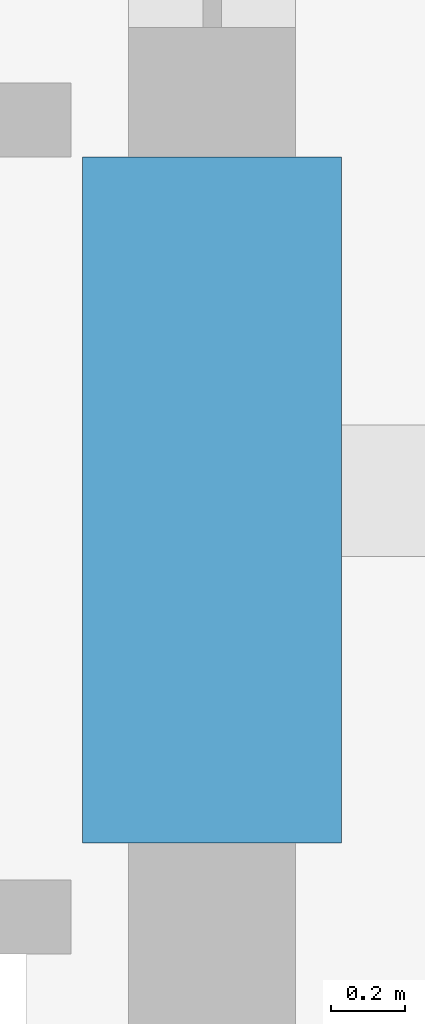
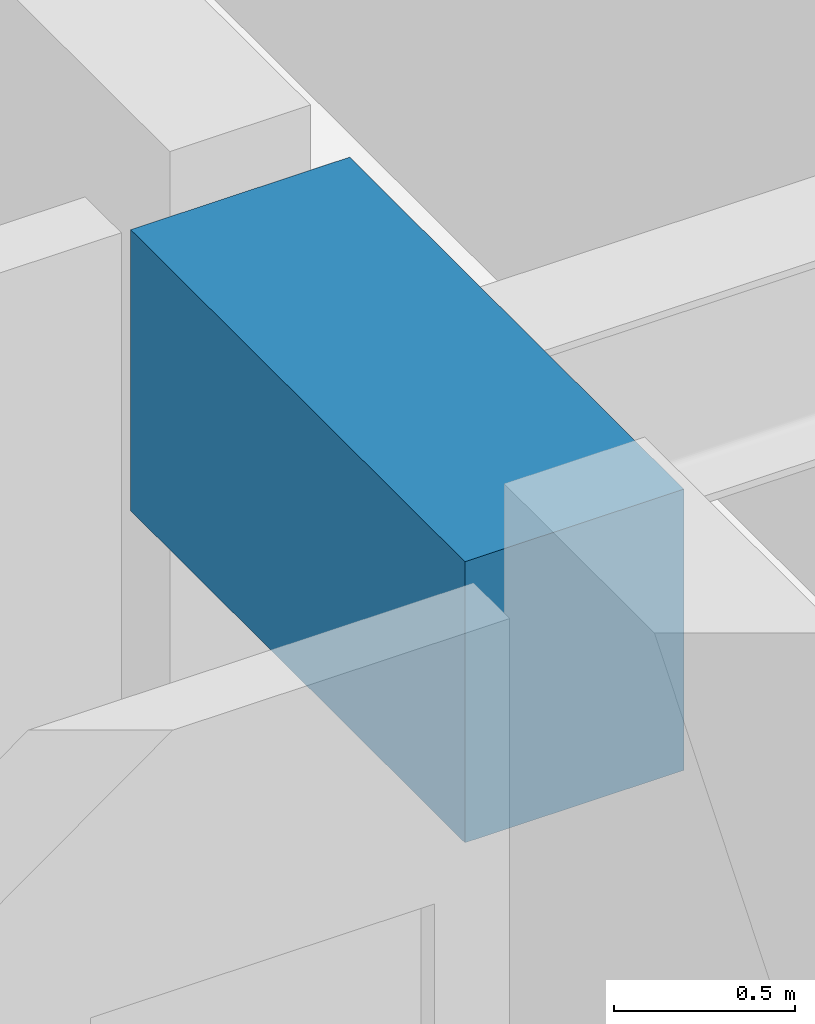
# One storey, part 11 of 38: 1 beam.
"""IFC4 building model written with IfcOpenShell, lengths in metres."""

from ifc_helpers import new_model, si_unit, direction, frame, origin, origin_2d, place, context, subcontext, project, spatial, rectangle, extrude, material, material_profile, profile_set, type_object, element, save


model = new_model("IFC4")

# Units and contexts
model_context = context("Model", 3, precision=1e-05, world=origin(), true_north=direction((0.0, 1.0)))
body_context = subcontext(model_context, "Body", "Model", "MODEL_VIEW")
ifc_project = project(units=[si_unit("LENGTHUNIT", "METRE"), si_unit("AREAUNIT", "SQUARE_METRE"), si_unit("VOLUMEUNIT", "CUBIC_METRE"), si_unit("PLANEANGLEUNIT", "RADIAN"), si_unit("MASSUNIT", "GRAM", prefix="KILO")], contexts=[model_context])

# Site, building, storey
site_placement = place(None, origin())
site = spatial("IfcSite", under=ifc_project, at=site_placement, CompositionType="ELEMENT")
building_placement = place(site_placement, origin())
building = spatial("IfcBuilding", under=site, at=building_placement, Name="Kolvaren Belvedere", CompositionType="ELEMENT")
storey_placement = place(building_placement, frame((0.0, 0.0, 213.0)))
storey = spatial("IfcBuildingStorey", under=building, at=storey_placement, Name="L62", CompositionType="ELEMENT", Elevation=213.0)

# Beam
ifc_material = material(Name="Concrete C60/75", Category="concrete")
ifc_material_profile = material_profile(ifc_material, rectangle(XDim=0.699951171875, YDim=0.949951171875, at=origin_2d()), Name="RC 700X950")
ifc_profile_set = profile_set([ifc_material_profile], Name="Concrete C60/75")
beam_type = type_object("IfcBeamType", Name="BM-LINT-950", PredefinedType="LINTEL", material=ifc_profile_set)
beam_placement = place(storey_placement, frame((9.89990234375, -5.550048828125, 2.60498046875), z_axis=(0.0, 1.0, 0.0), x_axis=(-1.0, 0.0, 0.0)))
element("IfcBeam", 1, at=beam_placement, inside=storey, type_object=beam_type, Name="L62 East Core Coupling Lintel", PredefinedType="LINTEL", context=body_context, shape_type="SweptSolid", body=[
    extrude(rectangle(XDim=0.699951171875, YDim=0.949951171875, at=origin_2d()), origin(), (0.0, 0.0, 1.0), 1.85009765625),
])

save(model, "model.ifc")
